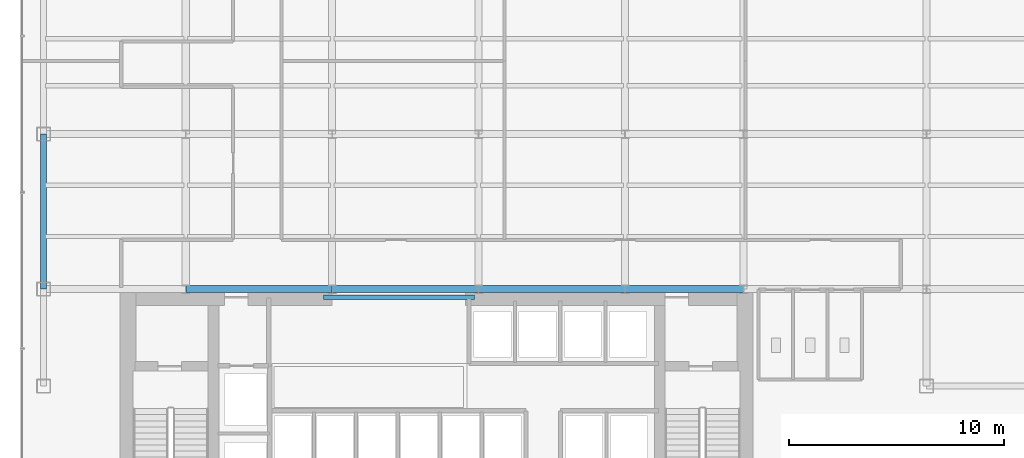
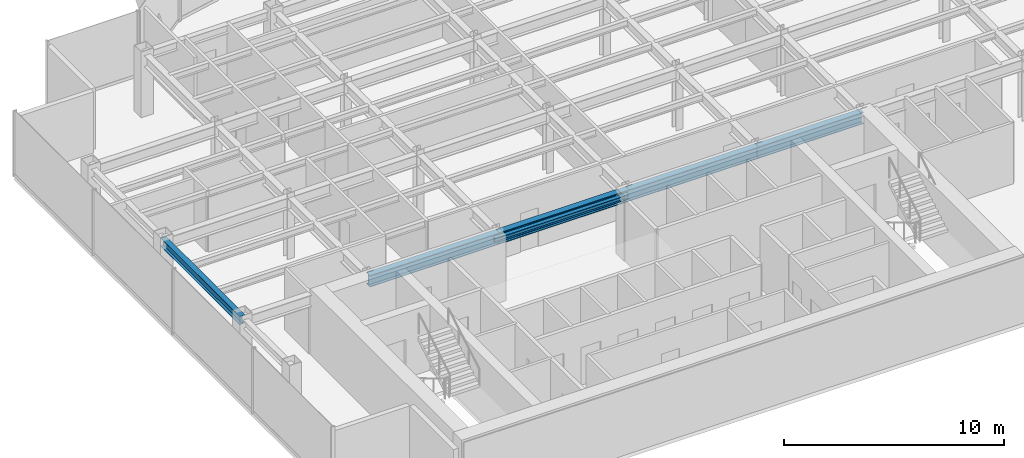
# One storey, part 4 of 25: 6 beams.
"""IFC4 building model written with IfcOpenShell, lengths in metres."""

from ifc_helpers import new_model, si_unit, derived_unit, direction, frame, origin, origin_2d, place, context, subcontext, project, spatial, i_section, extrude, source, transform, mapped, material, material_profile, profile_set, type_object, element, save


model = new_model("IFC4")

# Units and contexts
model_context = context("Model", 3, precision=1e-05, world=origin(), true_north=direction((0.0, 1.0)))
body_context = subcontext(model_context, "Body", "Model", "MODEL_VIEW")
ifc_project = project(units=[si_unit("LENGTHUNIT", "METRE"), si_unit("AREAUNIT", "SQUARE_METRE"), si_unit("VOLUMEUNIT", "CUBIC_METRE"), si_unit("PLANEANGLEUNIT", "RADIAN"), si_unit("MASSUNIT", "GRAM", prefix="KILO"), derived_unit("THERMALTRANSMITTANCEUNIT", [(si_unit("POWERUNIT", "WATT"), 1), (si_unit("LENGTHUNIT", "METRE"), -2), (si_unit("THERMODYNAMICTEMPERATUREUNIT", "KELVIN"), -1)])], contexts=[model_context])

# Site, building, storey
site_placement = place(None, origin())
site = spatial("IfcSite", under=ifc_project, at=site_placement, CompositionType="ELEMENT")
building_placement = place(site_placement, origin())
building = spatial("IfcBuilding", under=site, at=building_placement, Name="Skarnbrae Concourse Arena and Tower", CompositionType="ELEMENT")
storey_placement = place(building_placement, frame((0.0, 0.0, 155.199951171875)))
storey = spatial("IfcBuildingStorey", under=building, at=storey_placement, Name="L39", CompositionType="ELEMENT", Elevation=155.199951171875)

# Beams
ifc_material = material(Name="Steel CSA G40.21 350W", Category="steel")
ifc_material_profile_1 = material_profile(ifc_material, i_section(OverallWidth=0.202880859375, OverallDepth=0.251953125, WebThickness=0.008056640625, FlangeThickness=0.013427734375, at=origin_2d()), Name="W250X58")
ifc_profile_set_1 = profile_set([ifc_material_profile_1], Name="Steel CSA G40.21 350W")
beam_type_1 = type_object("IfcBeamType", Name="BM-LINTEL-W250X58", PredefinedType="LINTEL", material=ifc_profile_set_1)
shared_shape_1 = source(origin(), body_context, "Body", "SweptSolid", [
    extrude(i_section(OverallWidth=0.202880859375, OverallDepth=0.251953125, WebThickness=0.008056640625, FlangeThickness=0.013427734375, at=origin_2d()), origin(), (0.0, 0.0, 1.0), 7.0),
])
beam_1_placement = place(storey_placement, frame((14.0, 13.625, 3.274169921875), z_axis=(1.0, 0.0, 0.0), x_axis=(0.0, 1.0, 0.0)))
element("IfcBeam", 1, at=beam_1_placement, inside=storey, type_object=beam_type_1, Name="L39 Core portal coupling lintel", PredefinedType="LINTEL", context=body_context, shape_type="MappedRepresentation", body=[
    mapped(shared_shape_1, transform((0.0, 0.0, 0.0))),
])
ifc_material_profile_2 = material_profile(ifc_material, i_section(OverallWidth=0.3291015625, OverallDepth=0.635009765625, WebThickness=0.017822265625, FlangeThickness=0.031005859375, at=origin_2d()), Name="W610X241")
ifc_profile_set_2 = profile_set([ifc_material_profile_2], Name="Steel CSA G40.21 350W")
beam_type_2 = type_object("IfcBeamType", Name="BM-GIRD-W610X241", PredefinedType="BEAM", material=ifc_profile_set_2)
shared_shape_2 = source(origin(), body_context, "Body", "SweptSolid", [
    extrude(i_section(OverallWidth=0.3291015625, OverallDepth=0.635009765625, WebThickness=0.017822265625, FlangeThickness=0.031005859375, at=origin_2d()), origin(), (0.0, 0.0, 1.0), 6.7998046875),
])
beam_2_placement = place(storey_placement, frame((7.60009765625, 14.0, 3.08251953125), z_axis=(1.0, 0.0, 0.0), x_axis=(0.0, 1.0, 0.0)))
element("IfcBeam", 2, at=beam_2_placement, inside=storey, type_object=beam_type_2, Name="L39 Primary E-W girder Y14.0-2", PredefinedType="BEAM", context=body_context, shape_type="MappedRepresentation", body=[
    mapped(shared_shape_2, transform((0.0, 0.0, 0.0))),
])
shared_shape_3 = source(origin(), body_context, "Body", "SweptSolid", [
    extrude(i_section(OverallWidth=0.3291015625, OverallDepth=0.635009765625, WebThickness=0.017822265625, FlangeThickness=0.031005859375, at=origin_2d()), origin(), (0.0, 0.0, 1.0), 6.800048828125),
])
for number, where, z_axis, x_axis, name in (
    (3, (14.39990234375, 14.0, 3.08251953125), (1.0, 0.0, 0.0), (0.0, 1.0, 0.0), "L39 Primary E-W girder Y14.0-3"),
    (4, (21.199951171875, 14.0, 3.08251953125), (1.0, 0.0, 0.0), (0.0, 1.0, 0.0), "L39 Primary E-W girder Y14.0-4"),
):
    element("IfcBeam", number, at=place(storey_placement, frame(where, z_axis=z_axis, x_axis=x_axis)), inside=storey, type_object=beam_type_2, Name=name, PredefinedType="BEAM", context=body_context, shape_type="MappedRepresentation", body=[
        mapped(shared_shape_3, transform((0.0, 0.0, 0.0))),
    ])
shared_shape_4 = source(origin(), body_context, "Body", "SweptSolid", [
    extrude(i_section(OverallWidth=0.3291015625, OverallDepth=0.635009765625, WebThickness=0.017822265625, FlangeThickness=0.031005859375, at=origin_2d()), origin(), (0.0, 0.0, 1.0), 5.5),
])
beam_3_placement = place(storey_placement, frame((28.0, 14.0, 3.08251953125), z_axis=(1.0, 0.0, 0.0), x_axis=(0.0, 1.0, 0.0)))
element("IfcBeam", 5, at=beam_3_placement, inside=storey, type_object=beam_type_2, Name="L39 Primary E-W girder Y14.0-5", PredefinedType="BEAM", context=body_context, shape_type="MappedRepresentation", body=[
    mapped(shared_shape_4, transform((0.0, 0.0, 0.0))),
])
ifc_material_profile_3 = material_profile(ifc_material, i_section(OverallWidth=0.280029296875, OverallDepth=0.462890625, WebThickness=0.0107421875, FlangeThickness=0.017333984375, at=origin_2d()), Name="W460X113")
ifc_profile_set_3 = profile_set([ifc_material_profile_3], Name="Steel CSA G40.21 350W")
beam_type_3 = type_object("IfcBeamType", Name="BM-SPAN-W460X113", PredefinedType="SPANDREL", material=ifc_profile_set_3)
shared_shape_5 = source(origin(), body_context, "Body", "SweptSolid", [
    extrude(i_section(OverallWidth=0.280029296875, OverallDepth=0.462890625, WebThickness=0.0107421875, FlangeThickness=0.017333984375, at=origin_2d()), origin(), (0.0, 0.0, 1.0), 7.199951171875),
])
beam_4_placement = place(storey_placement, frame((1.0, 14.0, 3.16845703125), z_axis=(0.0, 1.0, 0.0), x_axis=(-1.0, 0.0, 0.0)))
element("IfcBeam", 6, at=beam_4_placement, inside=storey, type_object=beam_type_3, Name="L39 Perimeter spandrel X1.0-2", PredefinedType="SPANDREL", context=body_context, shape_type="MappedRepresentation", body=[
    mapped(shared_shape_5, transform((0.0, 0.0, 0.0))),
])

save(model, "model.ifc")
